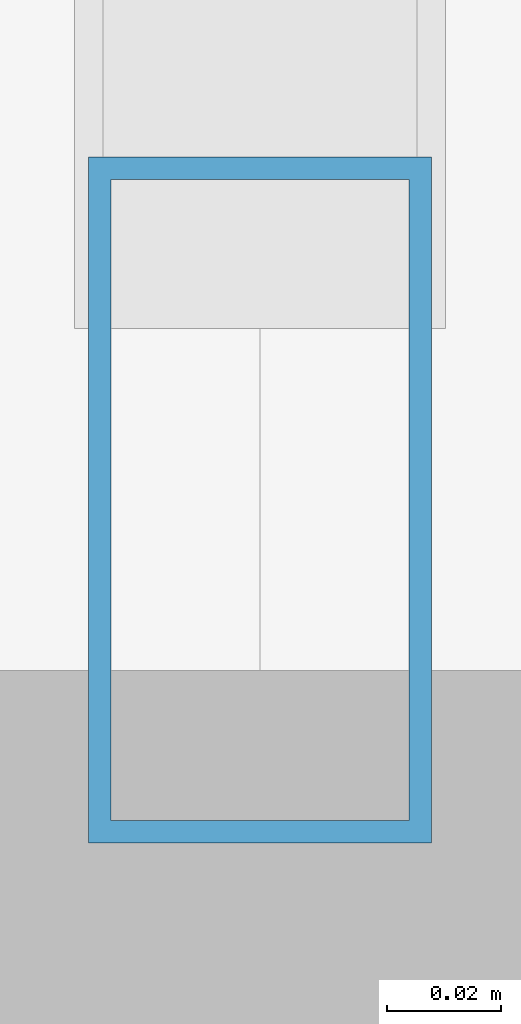
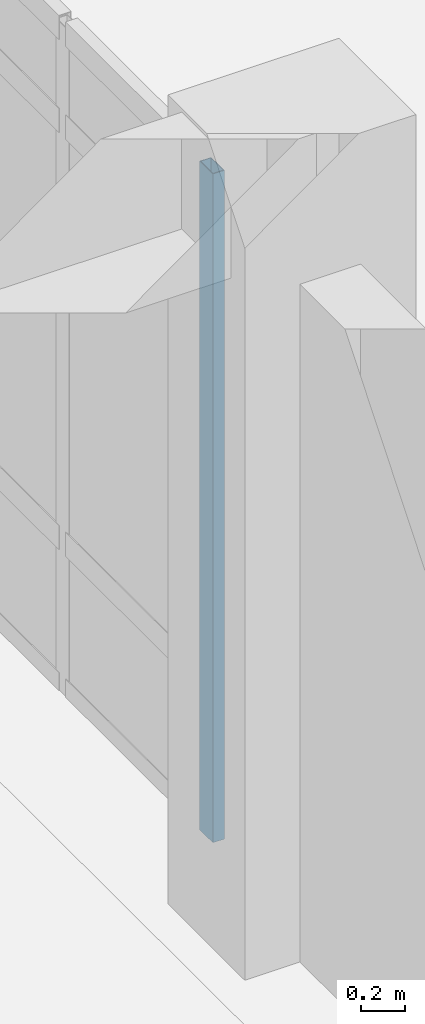
# One storey, part 45 of 80: 1 member, 1 element without a shape of its own.
"""IFC4 building model written with IfcOpenShell, lengths in metres."""

from ifc_helpers import new_model, si_unit, direction, frame, origin, origin_2d, place, context, subcontext, project, spatial, hollow_rectangle, extrude, material, layer, layer_set, material_profile, profile_set, type_object, element, aggregate, save


model = new_model("IFC4")

# Units and contexts
model_context = context("Model", 3, precision=1e-05, world=origin(), true_north=direction((0.0, 1.0)))
body_context = subcontext(model_context, "Body", "Model", "MODEL_VIEW")
ifc_project = project(units=[si_unit("LENGTHUNIT", "METRE"), si_unit("AREAUNIT", "SQUARE_METRE"), si_unit("VOLUMEUNIT", "CUBIC_METRE"), si_unit("PLANEANGLEUNIT", "RADIAN"), si_unit("MASSUNIT", "GRAM", prefix="KILO")], contexts=[model_context])

# Site, building, storey
site_placement = place(None, origin())
site = spatial("IfcSite", under=ifc_project, at=site_placement, CompositionType="ELEMENT")
building_placement = place(site_placement, origin())
building = spatial("IfcBuilding", under=site, at=building_placement, Name="Fikremerkos Civic Library", CompositionType="ELEMENT")
storey_placement = place(building_placement, frame((0.0, 0.0, 9.89990234375)))
storey = spatial("IfcBuildingStorey", under=building, at=storey_placement, Name="L02", CompositionType="ELEMENT", Elevation=9.89990234375)

# Curtain wall, member
ifc_material = material(Name="Anodized aluminium Frame", Category="aluminium")
ifc_layer = layer(ifc_material, 0.159912109375, Name="Anodized aluminium Frame")
ifc_layer_set = layer_set([ifc_layer], Name="Anodized aluminium Frame")
curtain_wall_type = type_object("IfcCurtainWallType", Name="Unitised curtain wall CW-04 3400x3600", PredefinedType="USERDEFINED", material=ifc_layer_set)
curtain_wall_placement = place(storey_placement, origin())
curtain_wall = element("IfcCurtainWall", 1, at=curtain_wall_placement, inside=storey, type_object=curtain_wall_type, Name="Unitised curtain wall CW-04 L02 #184", ObjectType="UNITISED CURTAIN WALL", PredefinedType="USERDEFINED")
ifc_material_profile = material_profile(ifc_material, hollow_rectangle(XDim=0.06005859375, YDim=0.1201171875, WallThickness=0.00390625, at=origin_2d()), Name="ALU 120x60x4")
ifc_profile_set = profile_set([ifc_material_profile], Name="Anodized aluminium Frame")
member_type = type_object("IfcMemberType", Name="Curtain mullion CWM-04 ALU 120x60x4", PredefinedType="MULLION", material=ifc_profile_set)
member_placement = place(storey_placement, frame((160.0, 31.927978515625, 0.0), z_axis=(0.0, 0.0, 1.0), x_axis=(1.0, 0.0, 0.0)))
member = element("IfcMember", 2, at=member_placement, type_object=member_type, Name="CW-04 mullion 4", PredefinedType="MULLION", context=body_context, shape_type="SweptSolid", body=[
    extrude(hollow_rectangle(XDim=0.06005859375, YDim=0.1201171875, WallThickness=0.00390625, at=origin_2d()), origin(), (0.0, 0.0, 1.0), 3.72021484375),
])
aggregate(curtain_wall, [member])

save(model, "model.ifc")
